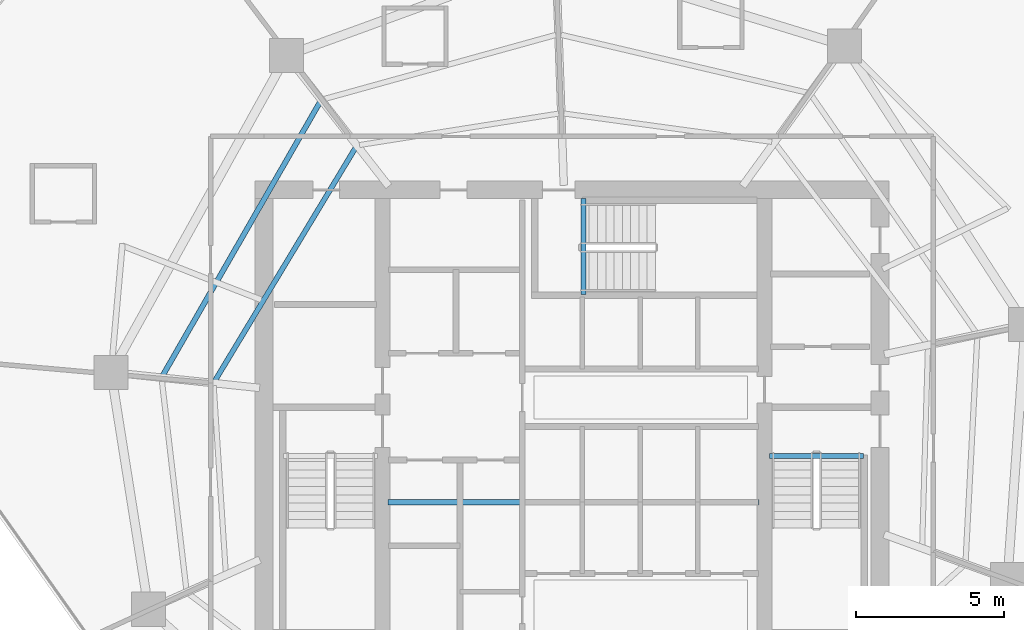
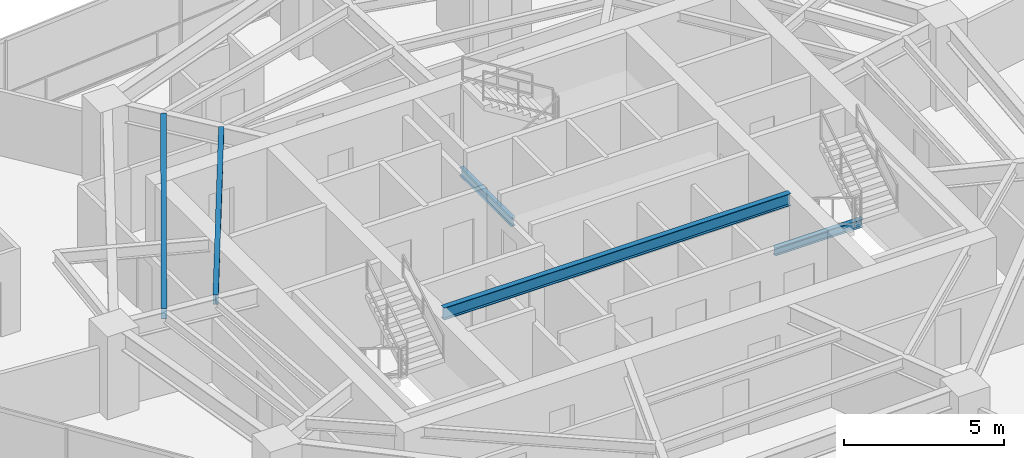
# One storey, part 8 of 30: 5 beams.
"""IFC4 building model written with IfcOpenShell, lengths in metres."""

from ifc_helpers import new_model, si_unit, direction, frame, origin, origin_2d, place, context, subcontext, project, spatial, i_section, extrude, material, material_profile, profile_set, type_object, element, save


model = new_model("IFC4")

# Units and contexts
model_context = context("Model", 3, precision=1e-05, world=origin(), true_north=direction((0.0, 1.0)))
body_context = subcontext(model_context, "Body", "Model", "MODEL_VIEW")
ifc_project = project(units=[si_unit("LENGTHUNIT", "METRE"), si_unit("AREAUNIT", "SQUARE_METRE"), si_unit("VOLUMEUNIT", "CUBIC_METRE"), si_unit("PLANEANGLEUNIT", "RADIAN"), si_unit("MASSUNIT", "GRAM", prefix="KILO")], contexts=[model_context])

# Site, building, storey
site_placement = place(None, origin())
site = spatial("IfcSite", under=ifc_project, at=site_placement, CompositionType="ELEMENT")
building_placement = place(site_placement, origin())
building = spatial("IfcBuilding", under=site, at=building_placement, Name="Qarnah Convention Tower", CompositionType="ELEMENT")
storey_placement = place(building_placement, frame((0.0, 0.0, 86.699951171875)))
storey = spatial("IfcBuildingStorey", under=building, at=storey_placement, Name="L22", CompositionType="ELEMENT", Elevation=86.699951171875)

# Beams
ifc_material = material(Name="Structural steel S355JR", Category="steel")
ifc_material_profile_1 = material_profile(ifc_material, i_section(OverallWidth=0.19189453125, OverallDepth=0.464111328125, WebThickness=0.010986328125, FlangeThickness=0.01806640625, at=origin_2d()), Name="W460X89")
ifc_profile_set_1 = profile_set([ifc_material_profile_1], Name="Structural steel S355JR")
beam_type_1 = type_object("IfcBeamType", Name="BM-CANT-W460A", PredefinedType="BEAM", material=ifc_profile_set_1)
beam_1_placement = place(storey_placement, frame((30.97998046875, 23.64990234375, 2.93798828125), z_axis=(1.0, 0.0, 0.0), x_axis=(0.0, 1.0, 0.0)))
element("IfcBeam", 1, at=beam_1_placement, inside=storey, type_object=beam_type_1, Name="L22 beam BM-L22-KC1", PredefinedType="BEAM", context=body_context, shape_type="SweptSolid", body=[
    extrude(i_section(OverallWidth=0.19189453125, OverallDepth=0.464111328125, WebThickness=0.010986328125, FlangeThickness=0.01806640625, at=origin_2d()), origin(), (0.0, 0.0, 1.0), 12.5400390625),
])
ifc_material_profile_2 = material_profile(ifc_material, i_section(OverallWidth=0.166015625, OverallDepth=0.31201171875, WebThickness=0.007080078125, FlangeThickness=0.010986328125, at=origin_2d()), Name="W310X45")
ifc_profile_set_2 = profile_set([ifc_material_profile_2], Name="Structural steel S355JR")
beam_type_2 = type_object("IfcBeamType", Name="BM-JST-W310", PredefinedType="JOIST", material=ifc_profile_set_2)
beam_2_placement = place(storey_placement, frame((43.860107421875, 25.217041015625, -0.156005859375), z_axis=(1.0, 0.0, 0.0), x_axis=(0.0, 1.0, 0.0)))
element("IfcBeam", 2, at=beam_2_placement, inside=storey, type_object=beam_type_2, Name="L22 stair landing trimmer beam BM-L22-ST2-TRM", PredefinedType="BEAM", context=body_context, shape_type="SweptSolid", body=[
    extrude(i_section(OverallWidth=0.166015625, OverallDepth=0.31201171875, WebThickness=0.007080078125, FlangeThickness=0.010986328125, at=origin_2d()), origin(), (0.0, 0.0, 1.0), 3.179931640625),
])
beam_3_placement = place(storey_placement, frame((37.5830078125, 30.659912109375, -0.156005859375), z_axis=(0.0, 1.0, 0.0), x_axis=(-1.0, 0.0, 0.0)))
element("IfcBeam", 3, at=beam_3_placement, inside=storey, type_object=beam_type_2, Name="L22 stair landing trimmer beam BM-L22-ST3-TRM", PredefinedType="BEAM", context=body_context, shape_type="SweptSolid", body=[
    extrude(i_section(OverallWidth=0.166015625, OverallDepth=0.31201171875, WebThickness=0.007080078125, FlangeThickness=0.010986328125, at=origin_2d()), origin(), (0.0, 0.0, 1.0), 3.239990234375),
])
ifc_material_profile_3 = material_profile(ifc_material, i_section(OverallWidth=0.172119140625, OverallDepth=0.35595703125, WebThickness=0.007080078125, FlangeThickness=0.011962890625, at=origin_2d()), Name="W360X51")
ifc_profile_set_3 = profile_set([ifc_material_profile_3], Name="Structural steel S355JR")
beam_type_3 = type_object("IfcBeamType", Name="BM-JST-W360", PredefinedType="JOIST", material=ifc_profile_set_3)
beam_4_placement = place(storey_placement, frame((29.89111328125, 35.618896484375, 2.991943359375), z_axis=(-0.516661946576, -0.856189484262, 0.0), x_axis=(0.856189484262, -0.516661946576, 0.0)))
element("IfcBeam", 4, at=beam_4_placement, inside=storey, type_object=beam_type_3, Name="L22 joist BM-L22-IJST-04", PredefinedType="JOIST", context=body_context, shape_type="SweptSolid", body=[
    extrude(i_section(OverallWidth=0.172119140625, OverallDepth=0.35595703125, WebThickness=0.007080078125, FlangeThickness=0.011962890625, at=origin_2d()), origin(), (0.0, 0.0, 1.0), 9.191650390625),
])
ifc_material_profile_4 = material_profile(ifc_material, i_section(OverallWidth=0.177978515625, OverallDepth=0.407958984375, WebThickness=0.008056640625, FlangeThickness=0.012939453125, at=origin_2d()), Name="W410X60")
ifc_profile_set_4 = profile_set([ifc_material_profile_4], Name="Structural steel S355JR")
beam_type_4 = type_object("IfcBeamType", Name="BM-JST-W410", PredefinedType="JOIST", material=ifc_profile_set_4)
beam_5_placement = place(storey_placement, frame((28.68896484375, 37.157958984375, 2.966064453125), z_axis=(-0.498526739612, -0.866874321855, 0.0), x_axis=(0.866874321855, -0.498526739612, 0.0)))
element("IfcBeam", 5, at=beam_5_placement, inside=storey, type_object=beam_type_4, Name="L22 joist BM-L22-SJST-04", PredefinedType="JOIST", context=body_context, shape_type="SweptSolid", body=[
    extrude(i_section(OverallWidth=0.177978515625, OverallDepth=0.407958984375, WebThickness=0.008056640625, FlangeThickness=0.012939453125, at=origin_2d()), origin(), (0.0, 0.0, 1.0), 10.63916015625),
])

save(model, "model.ifc")
